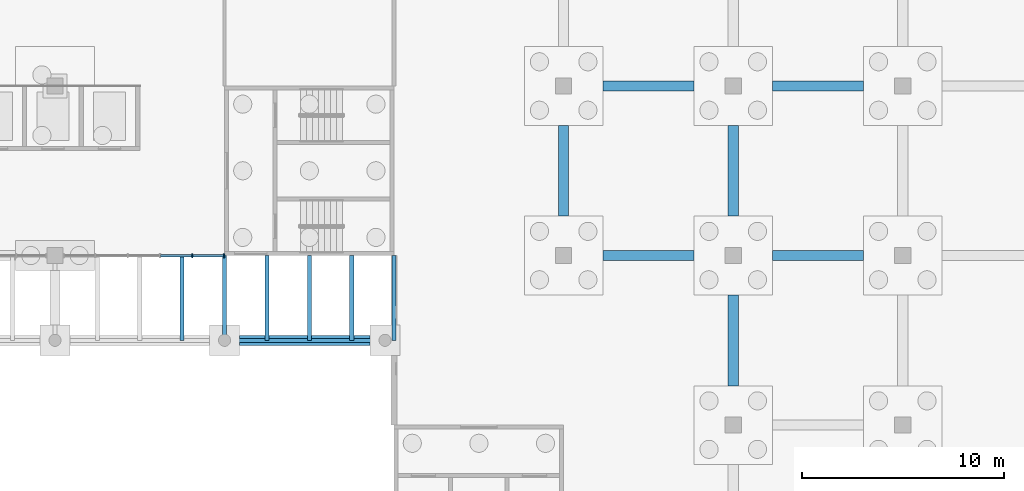
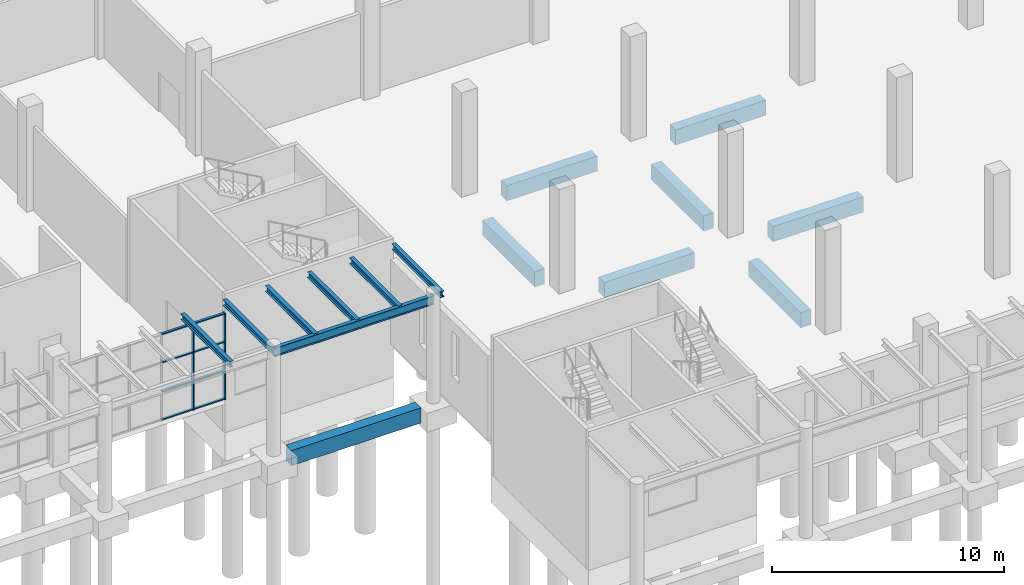
# One storey, part 16 of 82: 16 members, 9 beams, 1 element without a shape of its own.
"""IFC4 building model written with IfcOpenShell, lengths in metres."""

from ifc_helpers import new_model, si_unit, direction, frame, origin, origin_2d, place, context, subcontext, project, spatial, rectangle, i_section, extrude, material, material_profile, profile_set, type_object, element, aggregate, save


model = new_model("IFC4")

# Units and contexts
model_context = context("Model", 3, precision=1e-05, world=origin(), true_north=direction((0.0, 1.0)))
body_context = subcontext(model_context, "Body", "Model", "MODEL_VIEW")
ifc_project = project(units=[si_unit("LENGTHUNIT", "METRE"), si_unit("AREAUNIT", "SQUARE_METRE"), si_unit("VOLUMEUNIT", "CUBIC_METRE"), si_unit("PLANEANGLEUNIT", "RADIAN"), si_unit("MASSUNIT", "GRAM", prefix="KILO")], contexts=[model_context])

# Site, building, storey
site_placement = place(None, origin())
site = spatial("IfcSite", under=ifc_project, at=site_placement, CompositionType="ELEMENT")
building_placement = place(site_placement, origin())
building = spatial("IfcBuilding", under=site, at=building_placement, Name="Almond Square Museum", CompositionType="ELEMENT")
storey_placement = place(building_placement, origin())
storey = spatial("IfcBuildingStorey", under=building, at=storey_placement, Name="L00", CompositionType="ELEMENT", Elevation=0.0)

# Curtain wall, members
ifc_material_1 = material(Name="Aluminium and laminated glass", Category="aluminium")
curtain_wall_type = type_object("IfcCurtainWallType", Name="Unitised curtain wall 1500 module", PredefinedType="NOTDEFINED", material=ifc_material_1)
curtain_wall_placement = place(storey_placement, origin())
curtain_wall = element("IfcCurtainWall", 1, at=curtain_wall_placement, inside=storey, type_object=curtain_wall_type, Name="Curtain wall CW-04", PredefinedType="NOTDEFINED")
ifc_material_2 = material(Name="Anodised aluminium", Category="aluminium")
ifc_material_profile_1 = material_profile(ifc_material_2, rectangle(XDim=0.199951171875, YDim=0.06005859375, at=origin_2d()))
ifc_profile_set_1 = profile_set([ifc_material_profile_1], Name="Anodised aluminium")
member_type_1 = type_object("IfcMemberType", Name="Aluminium mullion 60 x 200", PredefinedType="MULLION", material=ifc_profile_set_1)
member_1_placement = place(storey_placement, frame((96.800048828125, 67.199951171875, 0.0), z_axis=(0.0, 0.0, 1.0), x_axis=(0.0, 1.0, 0.0)))
member_1 = element("IfcMember", 2, at=member_1_placement, type_object=member_type_1, Name="CW-04 mullion 5", PredefinedType="MULLION", context=body_context, shape_type="SweptSolid", body=[
    extrude(rectangle(XDim=0.199951171875, YDim=0.06005859375, at=origin_2d()), origin(), (0.0, 0.0, 1.0), 4.550048828125),
])
member_2_placement = place(storey_placement, frame((98.3701171875, 67.199951171875, 0.0), z_axis=(0.0, 0.0, 1.0), x_axis=(0.0, 1.0, 0.0)))
member_2 = element("IfcMember", 3, at=member_2_placement, type_object=member_type_1, Name="CW-04 mullion 6", PredefinedType="MULLION", context=body_context, shape_type="SweptSolid", body=[
    extrude(rectangle(XDim=0.199951171875, YDim=0.06005859375, at=origin_2d()), origin(), (0.0, 0.0, 1.0), 4.550048828125),
])
ifc_material_3 = material(Name="Anodised aluminium", Category="aluminium")
ifc_material_profile_2 = material_profile(ifc_material_3, rectangle(XDim=0.1201171875, YDim=0.06005859375, at=origin_2d()))
ifc_profile_set_2 = profile_set([ifc_material_profile_2], Name="Anodised aluminium")
member_type_2 = type_object("IfcMemberType", Name="Aluminium transom 60 x 120", PredefinedType="USERDEFINED", material=ifc_profile_set_2)
member_3_placement = place(storey_placement, frame((95.22998046875, 67.199951171875, 0.030029296875), z_axis=(1.0, 0.0, 0.0), x_axis=(0.0, 1.0, 0.0)))
member_3 = element("IfcMember", 4, at=member_3_placement, type_object=member_type_2, Name="CW-04 transom 4.1", ObjectType="TRANSOM", PredefinedType="USERDEFINED", context=body_context, shape_type="SweptSolid", body=[
    extrude(rectangle(XDim=0.1201171875, YDim=0.06005859375, at=origin_2d()), origin(), (0.0, 0.0, 1.0), 1.5400390625),
])
member_4_placement = place(storey_placement, frame((95.22998046875, 67.199951171875, 1.5166015625), z_axis=(1.0, 0.0, 0.0), x_axis=(0.0, 1.0, 0.0)))
member_4 = element("IfcMember", 5, at=member_4_placement, type_object=member_type_2, Name="CW-04 transom 4.2", ObjectType="TRANSOM", PredefinedType="USERDEFINED", context=body_context, shape_type="SweptSolid", body=[
    extrude(rectangle(XDim=0.1201171875, YDim=0.06005859375, at=origin_2d()), origin(), (0.0, 0.0, 1.0), 1.5400390625),
])
member_5_placement = place(storey_placement, frame((95.22998046875, 67.199951171875, 3.033447265625), z_axis=(1.0, 0.0, 0.0), x_axis=(0.0, 1.0, 0.0)))
member_5 = element("IfcMember", 6, at=member_5_placement, type_object=member_type_2, Name="CW-04 transom 4.3", ObjectType="TRANSOM", PredefinedType="USERDEFINED", context=body_context, shape_type="SweptSolid", body=[
    extrude(rectangle(XDim=0.1201171875, YDim=0.06005859375, at=origin_2d()), origin(), (0.0, 0.0, 1.0), 1.5400390625),
])
member_6_placement = place(storey_placement, frame((95.22998046875, 67.199951171875, 4.52001953125), z_axis=(1.0, 0.0, 0.0), x_axis=(0.0, 1.0, 0.0)))
member_6 = element("IfcMember", 7, at=member_6_placement, type_object=member_type_2, Name="CW-04 transom 4.4", ObjectType="TRANSOM", PredefinedType="USERDEFINED", context=body_context, shape_type="SweptSolid", body=[
    extrude(rectangle(XDim=0.1201171875, YDim=0.06005859375, at=origin_2d()), origin(), (0.0, 0.0, 1.0), 1.5400390625),
])
member_7_placement = place(storey_placement, frame((96.830078125, 67.199951171875, 0.030029296875), z_axis=(1.0, 0.0, 0.0), x_axis=(0.0, 1.0, 0.0)))
member_7 = element("IfcMember", 8, at=member_7_placement, type_object=member_type_2, Name="CW-04 transom 5.1", ObjectType="TRANSOM", PredefinedType="USERDEFINED", context=body_context, shape_type="SweptSolid", body=[
    extrude(rectangle(XDim=0.1201171875, YDim=0.06005859375, at=origin_2d()), origin(), (0.0, 0.0, 1.0), 1.510009765625),
])
member_8_placement = place(storey_placement, frame((96.830078125, 67.199951171875, 1.5166015625), z_axis=(1.0, 0.0, 0.0), x_axis=(0.0, 1.0, 0.0)))
member_8 = element("IfcMember", 9, at=member_8_placement, type_object=member_type_2, Name="CW-04 transom 5.2", ObjectType="TRANSOM", PredefinedType="USERDEFINED", context=body_context, shape_type="SweptSolid", body=[
    extrude(rectangle(XDim=0.1201171875, YDim=0.06005859375, at=origin_2d()), origin(), (0.0, 0.0, 1.0), 1.510009765625),
])
member_9_placement = place(storey_placement, frame((96.830078125, 67.199951171875, 3.033447265625), z_axis=(1.0, 0.0, 0.0), x_axis=(0.0, 1.0, 0.0)))
member_9 = element("IfcMember", 10, at=member_9_placement, type_object=member_type_2, Name="CW-04 transom 5.3", ObjectType="TRANSOM", PredefinedType="USERDEFINED", context=body_context, shape_type="SweptSolid", body=[
    extrude(rectangle(XDim=0.1201171875, YDim=0.06005859375, at=origin_2d()), origin(), (0.0, 0.0, 1.0), 1.510009765625),
])
member_10_placement = place(storey_placement, frame((96.830078125, 67.199951171875, 4.52001953125), z_axis=(1.0, 0.0, 0.0), x_axis=(0.0, 1.0, 0.0)))
member_10 = element("IfcMember", 11, at=member_10_placement, type_object=member_type_2, Name="CW-04 transom 5.4", ObjectType="TRANSOM", PredefinedType="USERDEFINED", context=body_context, shape_type="SweptSolid", body=[
    extrude(rectangle(XDim=0.1201171875, YDim=0.06005859375, at=origin_2d()), origin(), (0.0, 0.0, 1.0), 1.510009765625),
])
aggregate(curtain_wall, [member_1, member_2, member_3, member_4, member_5, member_6, member_7, member_8, member_9, member_10])

# Beams
ifc_material_4 = material(Name="Structural steel S355", Category="steel")
ifc_material_profile_3 = material_profile(ifc_material_4, i_section(OverallWidth=0.19091796875, OverallDepth=0.45703125, WebThickness=0.009033203125, FlangeThickness=0.014404296875, at=origin_2d()))
ifc_profile_set_3 = profile_set([ifc_material_profile_3], Name="Structural steel S355")
beam_type_1 = type_object("IfcBeamType", Name="Eave beam W460x74", PredefinedType="BEAM", material=ifc_profile_set_3)
beam_1_placement = place(storey_placement, frame((98.39990234375, 63.0, 5.021484375), z_axis=(1.0, 0.0, 0.0), x_axis=(0.0, 1.0, 0.0)))
element("IfcBeam", 12, at=beam_1_placement, inside=storey, type_object=beam_type_1, Name="LG-V2 roof edge beam 4", PredefinedType="BEAM", context=body_context, shape_type="SweptSolid", body=[
    extrude(i_section(OverallWidth=0.19091796875, OverallDepth=0.45703125, WebThickness=0.009033203125, FlangeThickness=0.014404296875, at=origin_2d()), origin(), (0.0, 0.0, 1.0), 7.9501953125),
])
ifc_material_5 = material(Name="Concrete C35/45", Category="concrete")
ifc_material_profile_4 = material_profile(ifc_material_5, rectangle(XDim=0.5, YDim=0.800048828125, at=origin_2d()))
ifc_profile_set_4 = profile_set([ifc_material_profile_4], Name="Concrete C35/45")
beam_type_2 = type_object("IfcBeamType", Name="RC ground beam 500 x 800 C35/45", PredefinedType="BEAM", material=ifc_profile_set_4)
beam_2_placement = place(storey_placement, frame((99.14990234375, 63.0, -0.699951171875), z_axis=(1.0, 0.0, 0.0), x_axis=(0.0, 1.0, 0.0)))
element("IfcBeam", 13, at=beam_2_placement, inside=storey, type_object=beam_type_2, Name="Ground beam 087", PredefinedType="BEAM", context=body_context, shape_type="SweptSolid", body=[
    extrude(rectangle(XDim=0.5, YDim=0.800048828125, at=origin_2d()), origin(), (0.0, 0.0, 1.0), 6.4501953125),
])
for number, where, z_axis, x_axis, name in (
    (14, (117.14990234375, 67.199951171875, -0.699951171875), (1.0, 0.0, 0.0), (0.0, 1.0, 0.0), "Ground beam 091"),
    (15, (125.550048828125, 67.199951171875, -0.699951171875), (1.0, 0.0, 0.0), (0.0, 1.0, 0.0), "Ground beam 092"),
    (16, (117.14990234375, 75.60009765625, -0.699951171875), (1.0, 0.0, 0.0), (0.0, 1.0, 0.0), "Ground beam 100"),
    (17, (125.550048828125, 75.60009765625, -0.699951171875), (1.0, 0.0, 0.0), (0.0, 1.0, 0.0), "Ground beam 101"),
    (18, (115.199951171875, 69.14990234375, -0.699951171875), (0.0, 1.0, 0.0), (-1.0, 0.0, 0.0), "Ground beam 261"),
    (19, (123.60009765625, 60.75, -0.699951171875), (0.0, 1.0, 0.0), (-1.0, 0.0, 0.0), "Ground beam 269"),
    (20, (123.60009765625, 69.14990234375, -0.699951171875), (0.0, 1.0, 0.0), (-1.0, 0.0, 0.0), "Ground beam 270"),
):
    element("IfcBeam", number, at=place(storey_placement, frame(where, z_axis=z_axis, x_axis=x_axis)), inside=storey, type_object=beam_type_2, Name=name, PredefinedType="BEAM", context=body_context, shape_type="SweptSolid", body=[
        extrude(rectangle(XDim=0.5, YDim=0.800048828125, at=origin_2d()), origin(), (0.0, 0.0, 1.0), 4.5),
    ])

# Members
ifc_material_6 = material(Name="Structural steel S355", Category="steel")
ifc_material_profile_5 = material_profile(ifc_material_6, i_section(OverallWidth=0.202880859375, OverallDepth=0.302001953125, WebThickness=0.007568359375, FlangeThickness=0.01318359375, at=origin_2d()))
ifc_profile_set_5 = profile_set([ifc_material_profile_5], Name="Structural steel S355")
member_type_3 = type_object("IfcMemberType", Name="Steel joist W310x60", PredefinedType="MEMBER", material=ifc_profile_set_5)
for number, where, z_axis, x_axis, name in (
    (21, (96.300048828125, 67.199951171875, 5.09912109375), (0.0, -1.0, 0.0), (1.0, 0.0, 0.0), "LG-V2 roof joist 12"),
    (22, (98.39990234375, 67.199951171875, 5.09912109375), (0.0, -1.0, 0.0), (1.0, 0.0, 0.0), "LG-V2 roof joist 13"),
    (23, (100.5, 67.199951171875, 5.09912109375), (0.0, -1.0, 0.0), (1.0, 0.0, 0.0), "LG-V2 roof joist 14"),
    (24, (102.60009765625, 67.199951171875, 5.09912109375), (0.0, -1.0, 0.0), (1.0, 0.0, 0.0), "LG-V2 roof joist 15"),
    (25, (104.699951171875, 67.199951171875, 5.09912109375), (0.0, -1.0, 0.0), (1.0, 0.0, 0.0), "LG-V2 roof joist 16"),
    (26, (106.800048828125, 67.199951171875, 5.09912109375), (0.0, -1.0, 0.0), (1.0, 0.0, 0.0), "LG-V2 roof joist 17"),
):
    element("IfcMember", number, at=place(storey_placement, frame(where, z_axis=z_axis, x_axis=x_axis)), inside=storey, type_object=member_type_3, Name=name, PredefinedType="MEMBER", context=body_context, shape_type="SweptSolid", body=[
        extrude(i_section(OverallWidth=0.202880859375, OverallDepth=0.302001953125, WebThickness=0.007568359375, FlangeThickness=0.01318359375, at=origin_2d()), origin(), (0.0, 0.0, 1.0), 4.199951171875),
    ])

save(model, "model.ifc")
